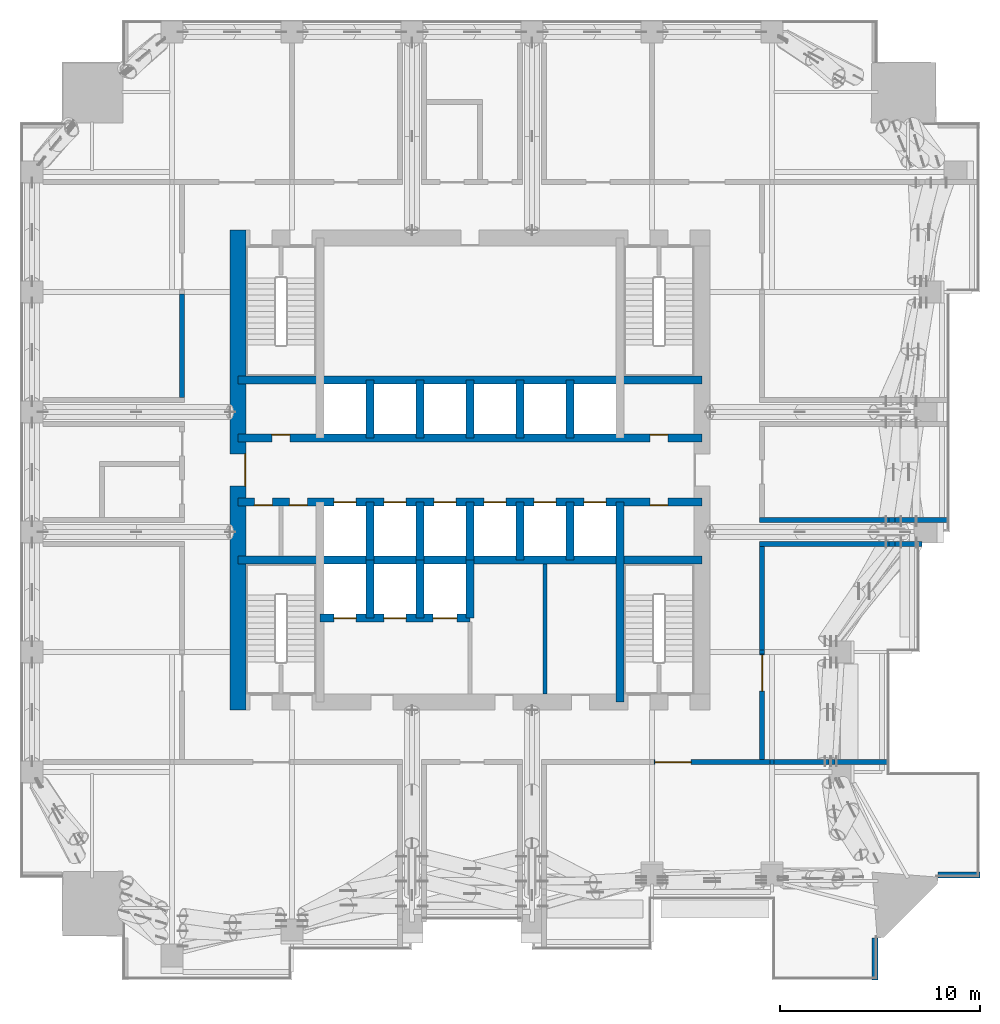
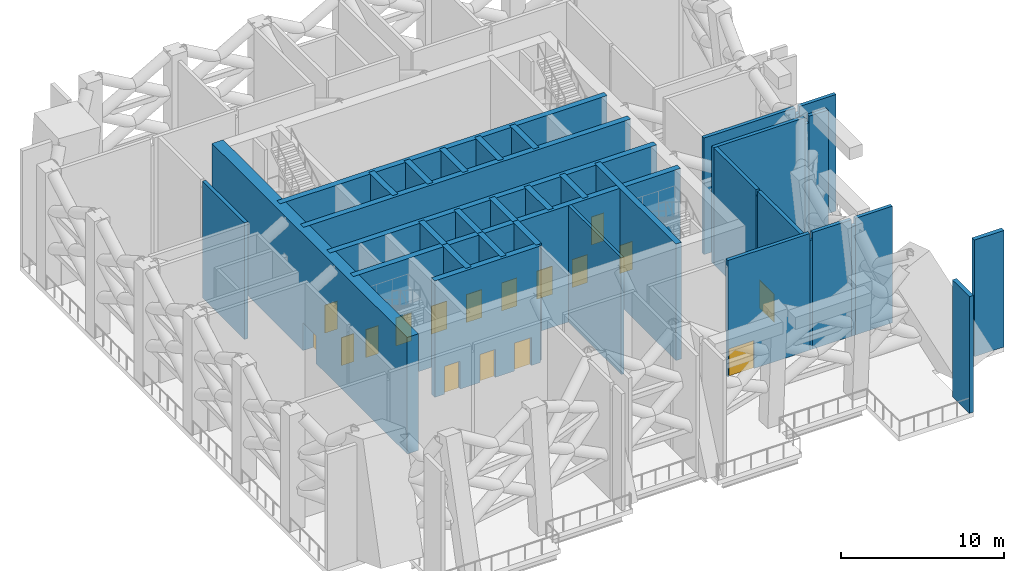
# One storey, part 8 of 19: 38 walls, 17 doors, 17 openings.
"""IFC4 building model written with IfcOpenShell, lengths in metres."""

from ifc_helpers import new_model, si_unit, direction, frame, frame_2d, origin, place, context, subcontext, project, spatial, rectangle, extrude, material, layer, layer_set, type_object, element, fill, save


model = new_model("IFC4")

# Units and contexts
model_context = context("Model", 3, precision=1e-05, world=origin(), true_north=direction((0.0, 1.0)))
body_context = subcontext(model_context, "Body", "Model", "MODEL_VIEW")
ifc_project = project(units=[si_unit("LENGTHUNIT", "METRE"), si_unit("AREAUNIT", "SQUARE_METRE"), si_unit("VOLUMEUNIT", "CUBIC_METRE"), si_unit("PLANEANGLEUNIT", "RADIAN"), si_unit("MASSUNIT", "GRAM", prefix="KILO")], contexts=[model_context])

# Site, building, storey
site_placement = place(None, origin())
site = spatial("IfcSite", under=ifc_project, at=site_placement, CompositionType="ELEMENT")
building_placement = place(site_placement, origin())
building = spatial("IfcBuilding", under=site, at=building_placement, Name="Amberfall Residences", CompositionType="ELEMENT")
storey_placement = place(building_placement, frame((0.0, 0.0, 124.89990234375)))
storey = spatial("IfcBuildingStorey", under=building, at=storey_placement, Name="L34", CompositionType="ELEMENT", Elevation=124.89990234375)

# Wall, opening, door
ifc_material_1 = material(Name="Reinforced concrete C40", Category="concrete")
ifc_layer_1 = layer(ifc_material_1, 0.25)
ifc_layer_set_1 = layer_set([ifc_layer_1], Name="Compartment wall 250")
wall_type_1 = type_object("IfcWallType", Name="Compartment wall 250", PredefinedType="SOLIDWALL", material=ifc_layer_set_1)
wall_1_placement = place(storey_placement, frame((83.69580078125, 30.89990234375, 0.0), z_axis=(0.0, 0.0, 1.0), x_axis=(1.0, 0.0, 0.0)))
wall_1 = element("IfcWall", 1, at=wall_1_placement, inside=storey, type_object=wall_type_1, Name="Compartment wall 250 L34 009", PredefinedType="SOLIDWALL", context=body_context, shape_type="SweptSolid", body=[
    extrude(rectangle(XDim=5.799560546875, YDim=0.25, at=frame_2d((2.89990234375, 0.0))), origin(), (0.0, 0.0, 1.0), 8.75),
])
opening_1_placement = place(wall_1_placement, frame((0.054443359375, 0.0, 0.0)))
opening_1 = element("IfcOpeningElement", 2, at=opening_1_placement, cuts=wall_1, Name="Opening D13", PredefinedType="OPENING", context=body_context, shape_type="SweptSolid", body=[
    extrude(rectangle(XDim=1.800048828125, YDim=2.10009765625, at=frame_2d((0.89990234375, 1.050048828125))), frame((0.0, 0.135009765625, 0.0), z_axis=(0.0, -1.0, 0.0), x_axis=(1.0, 0.0, 0.0)), (0.0, 0.0, 1.0), 0.27001953125),
])
ifc_material_2 = material(Name="Steel fire door leaf", Category="steel")
door_type_1 = type_object("IfcDoorType", Name="Double fire door 1800x2100 FD60", OperationType="DOUBLE_DOOR_SINGLE_SWING", PredefinedType="DOOR", material=ifc_material_2)
door_1_placement = place(opening_1_placement, origin())
door_1 = element("IfcDoor", 3, at=door_1_placement, inside=storey, type_object=door_type_1, Name="Door Refuge area 3", OperationType="DOUBLE_DOOR_SINGLE_SWING", OverallHeight=2.10009765625, OverallWidth=1.800048828125, PredefinedType="DOOR", context=body_context, shape_type="SweptSolid", body=[
    extrude(rectangle(XDim=1.800048828125, YDim=2.10009765625, at=frame_2d((0.89990234375, 1.050048828125))), frame((0.0, 0.02490234375, 0.0), z_axis=(0.0, -1.0, 0.0), x_axis=(1.0, 0.0, 0.0)), (0.0, 0.0, 1.0), 0.050048828125),
])
fill(opening_1, door_1)

# Walls
wall_2_placement = place(storey_placement, frame((89.495361328125, 30.89990234375, 0.0), z_axis=(0.0, 0.0, 1.0), x_axis=(1.0, 0.0, 0.0)))
element("IfcWall", 4, at=wall_2_placement, inside=storey, type_object=wall_type_1, Name="Compartment wall 250 L34 010", PredefinedType="SOLIDWALL", context=body_context, shape_type="SweptSolid", body=[
    extrude(rectangle(XDim=0.209228515625, YDim=0.25, at=frame_2d((0.1044921875, 0.0))), origin(), (0.0, 0.0, 1.0), 8.217041015625),
])
wall_3_placement = place(storey_placement, frame((89.70458984375, 30.89990234375, 0.0), z_axis=(0.0, 0.0, 1.0), x_axis=(1.0, 0.0, 0.0)))
element("IfcWall", 5, at=wall_3_placement, inside=storey, type_object=wall_type_1, Name="Compartment wall 250 L34 011", PredefinedType="SOLIDWALL", context=body_context, shape_type="SweptSolid", body=[
    extrude(rectangle(XDim=2.745361328125, YDim=0.25, at=frame_2d((1.37255859375, 0.0))), origin(), (0.0, 0.0, 1.0), 8.75),
])
wall_4_placement = place(storey_placement, frame((92.449951171875, 30.89990234375, 0.0), z_axis=(0.0, 0.0, 1.0), x_axis=(1.0, 0.0, 0.0)))
element("IfcWall", 6, at=wall_4_placement, inside=storey, type_object=wall_type_1, Name="Compartment wall 250 L34 012", PredefinedType="SOLIDWALL", context=body_context, shape_type="SweptSolid", body=[
    extrude(rectangle(XDim=0.300048828125, YDim=0.25, at=frame_2d((0.14990234375, 0.0))), origin(), (0.0, 0.0, 1.0), 8.25),
])
wall_5_placement = place(storey_placement, frame((92.75, 30.89990234375, 0.0), z_axis=(0.0, 0.0, 1.0), x_axis=(1.0, 0.0, 0.0)))
element("IfcWall", 7, at=wall_5_placement, inside=storey, type_object=wall_type_1, Name="Compartment wall 250 L34 013", PredefinedType="SOLIDWALL", context=body_context, shape_type="SweptSolid", body=[
    extrude(rectangle(XDim=2.60009765625, YDim=0.25, at=frame_2d((1.300048828125, 0.0))), origin(), (0.0, 0.0, 1.0), 8.75),
])
wall_6_placement = place(storey_placement, frame((88.97509765625, 41.800048828125, 0.0), z_axis=(0.0, 0.0, 1.0), x_axis=(1.0, 0.0, 0.0)))
element("IfcWall", 8, at=wall_6_placement, inside=storey, type_object=wall_type_1, Name="Compartment wall 250 L34 015", PredefinedType="SOLIDWALL", context=body_context, shape_type="SweptSolid", body=[
    extrude(rectangle(XDim=6.474853515625, YDim=0.25, at=frame_2d((3.2373046875, 0.0))), origin(), (0.0, 0.0, 1.0), 8.75),
])
wall_7_placement = place(storey_placement, frame((95.449951171875, 41.800048828125, 0.0), z_axis=(0.0, 0.0, 1.0), x_axis=(1.0, 0.0, 0.0)))
element("IfcWall", 9, at=wall_7_placement, inside=storey, type_object=wall_type_1, Name="Compartment wall 250 L34 016", PredefinedType="SOLIDWALL", context=body_context, shape_type="SweptSolid", body=[
    extrude(rectangle(XDim=0.300048828125, YDim=0.25, at=frame_2d((0.14990234375, 0.0))), origin(), (0.0, 0.0, 1.0), 8.25),
])
wall_8_placement = place(storey_placement, frame((95.75, 41.800048828125, 0.0), z_axis=(0.0, 0.0, 1.0), x_axis=(1.0, 0.0, 0.0)))
element("IfcWall", 10, at=wall_8_placement, inside=storey, type_object=wall_type_1, Name="Compartment wall 250 L34 017", PredefinedType="SOLIDWALL", context=body_context, shape_type="SweptSolid", body=[
    extrude(rectangle(XDim=1.35009765625, YDim=0.25, at=frame_2d((0.675048828125, 0.0))), origin(), (0.0, 0.0, 1.0), 8.75),
])
wall_9_placement = place(storey_placement, frame((88.97509765625, 43.0, 0.0), z_axis=(0.0, 0.0, 1.0), x_axis=(1.0, 0.0, 0.0)))
element("IfcWall", 11, at=wall_9_placement, inside=storey, type_object=wall_type_1, Name="Compartment wall 250 L34 019", PredefinedType="SOLIDWALL", context=body_context, shape_type="SweptSolid", body=[
    extrude(rectangle(XDim=6.474853515625, YDim=0.25, at=frame_2d((3.2373046875, 0.0))), origin(), (0.0, 0.0, 1.0), 8.75),
])
wall_10_placement = place(storey_placement, frame((95.449951171875, 43.0, 0.0), z_axis=(0.0, 0.0, 1.0), x_axis=(1.0, 0.0, 0.0)))
element("IfcWall", 12, at=wall_10_placement, inside=storey, type_object=wall_type_1, Name="Compartment wall 250 L34 020", PredefinedType="SOLIDWALL", context=body_context, shape_type="SweptSolid", body=[
    extrude(rectangle(XDim=0.300048828125, YDim=0.25, at=frame_2d((0.14990234375, 0.0))), origin(), (0.0, 0.0, 1.0), 8.25),
])
wall_11_placement = place(storey_placement, frame((95.75, 43.0, 0.0), z_axis=(0.0, 0.0, 1.0), x_axis=(1.0, 0.0, 0.0)))
element("IfcWall", 13, at=wall_11_placement, inside=storey, type_object=wall_type_1, Name="Compartment wall 250 L34 021", PredefinedType="SOLIDWALL", context=body_context, shape_type="SweptSolid", body=[
    extrude(rectangle(XDim=2.60009765625, YDim=0.25, at=frame_2d((1.300048828125, 0.0))), origin(), (0.0, 0.0, 1.0), 8.75),
])
wall_12_placement = place(storey_placement, frame((60.10009765625, 49.125, 0.0), z_axis=(0.0, 0.0, 1.0), x_axis=(0.0, 1.0, 0.0)))
element("IfcWall", 14, at=wall_12_placement, inside=storey, type_object=wall_type_1, Name="Compartment wall 250 L34 050", PredefinedType="SOLIDWALL", context=body_context, shape_type="SweptSolid", body=[
    extrude(rectangle(XDim=5.17041015625, YDim=0.25, at=frame_2d((2.585205078125, 0.0))), origin(), (0.0, 0.0, 1.0), 8.75),
])

# Wall, opening, door
wall_13_placement = place(storey_placement, frame((89.10009765625, 31.02490234375, 0.0), z_axis=(0.0, 0.0, 1.0), x_axis=(0.0, 1.0, 0.0)))
wall_13 = element("IfcWall", 15, at=wall_13_placement, inside=storey, type_object=wall_type_1, Name="Compartment wall 250 L34 072", PredefinedType="SOLIDWALL", context=body_context, shape_type="SweptSolid", body=[
    extrude(rectangle(XDim=5.2861328125, YDim=0.25, at=frame_2d((2.64306640625, 0.0))), origin(), (0.0, 0.0, 1.0), 8.75),
])
opening_2_placement = place(wall_13_placement, frame((3.425048828125, 0.0, 0.0)))
opening_2 = element("IfcOpeningElement", 16, at=opening_2_placement, cuts=wall_13, Name="Opening D13", PredefinedType="OPENING", context=body_context, shape_type="SweptSolid", body=[
    extrude(rectangle(XDim=1.800048828125, YDim=2.10009765625, at=frame_2d((0.89990234375, 1.050048828125))), frame((0.0, 0.135009765625, 0.0), z_axis=(0.0, -1.0, 0.0), x_axis=(1.0, 0.0, 0.0)), (0.0, 0.0, 1.0), 0.27001953125),
])
door_2_placement = place(opening_2_placement, origin())
door_2 = element("IfcDoor", 17, at=door_2_placement, inside=storey, type_object=door_type_1, Name="Door Refuge area 12", OperationType="DOUBLE_DOOR_SINGLE_SWING", OverallHeight=2.10009765625, OverallWidth=1.800048828125, PredefinedType="DOOR", context=body_context, shape_type="SweptSolid", body=[
    extrude(rectangle(XDim=1.800048828125, YDim=2.10009765625, at=frame_2d((0.89990234375, 1.050048828125))), frame((0.0, 0.02490234375, 0.0), z_axis=(0.0, -1.0, 0.0), x_axis=(1.0, 0.0, 0.0)), (0.0, 0.0, 1.0), 0.050048828125),
])
fill(opening_2, door_2)

# Walls
wall_14_placement = place(storey_placement, frame((89.10009765625, 36.31103515625, 0.0), z_axis=(0.0, 0.0, 1.0), x_axis=(0.0, 1.0, 0.0)))
element("IfcWall", 18, at=wall_14_placement, inside=storey, type_object=wall_type_1, Name="Compartment wall 250 L34 073", PredefinedType="SOLIDWALL", context=body_context, shape_type="SweptSolid", body=[
    extrude(rectangle(XDim=0.177734375, YDim=0.25, at=frame_2d((0.0888671875, 0.0))), origin(), (0.0, 0.0, 1.0), 8.34716796875),
])
wall_15_placement = place(storey_placement, frame((89.10009765625, 36.48876953125, 0.0), z_axis=(0.0, 0.0, 1.0), x_axis=(0.0, 1.0, 0.0)))
element("IfcWall", 19, at=wall_15_placement, inside=storey, type_object=wall_type_1, Name="Compartment wall 250 L34 074", PredefinedType="SOLIDWALL", context=body_context, shape_type="SweptSolid", body=[
    extrude(rectangle(XDim=5.186279296875, YDim=0.25, at=frame_2d((2.59326171875, 0.0))), origin(), (0.0, 0.0, 1.0), 8.75),
])
ifc_material_3 = material(Name="Concrete C70", Category="concrete")
ifc_layer_2 = layer(ifc_material_3, 0.39990234375)
ifc_layer_set_2 = layer_set([ifc_layer_2], Name="Core wall 400 C70")
wall_type_2 = type_object("IfcWallType", Name="Core wall 400 C70", PredefinedType="SHEAR", material=ifc_layer_set_2)
wall_16_placement = place(storey_placement, frame((62.89990234375, 41.0, 0.0), z_axis=(0.0, 0.0, 1.0), x_axis=(1.0, 0.0, 0.0)))
element("IfcWall", 20, at=wall_16_placement, inside=storey, type_object=wall_type_2, Name="Core wall RW4 L34 H75", PredefinedType="SHEAR", context=body_context, shape_type="SweptSolid", body=[
    extrude(rectangle(XDim=23.2001953125, YDim=0.39990234375, at=frame_2d((11.60009765625, 0.0))), origin(), (0.0, 0.0, 1.0), 8.75),
])

# Wall, openings, doors
wall_17_placement = place(storey_placement, frame((62.89990234375, 43.89990234375, 0.0), z_axis=(0.0, 0.0, 1.0), x_axis=(1.0, 0.0, 0.0)))
wall_17 = element("IfcWall", 21, at=wall_17_placement, inside=storey, type_object=wall_type_2, Name="Core wall RW4 L34 H104", PredefinedType="SHEAR", context=body_context, shape_type="SweptSolid", body=[
    extrude(rectangle(XDim=23.2001953125, YDim=0.39990234375, at=frame_2d((11.60009765625, 0.0))), origin(), (0.0, 0.0, 1.0), 8.75),
])
opening_3_placement = place(wall_17_placement, frame((0.824951171875, 0.0, 0.0)))
opening_3 = element("IfcOpeningElement", 22, at=opening_3_placement, cuts=wall_17, Name="Opening RD1", PredefinedType="OPENING", context=body_context, shape_type="SweptSolid", body=[
    extrude(rectangle(XDim=0.89990234375, YDim=2.10009765625, at=frame_2d((0.449951171875, 1.050048828125))), frame((0.0, 0.2099609375, 0.0), z_axis=(0.0, -1.0, 0.0), x_axis=(1.0, 0.0, 0.0)), (0.0, 0.0, 1.0), 0.419921875),
])
opening_4_placement = place(wall_17_placement, frame((2.574951171875, 0.0, 0.0)))
opening_4 = element("IfcOpeningElement", 23, at=opening_4_placement, cuts=wall_17, Name="Opening RD1", PredefinedType="OPENING", context=body_context, shape_type="SweptSolid", body=[
    extrude(rectangle(XDim=0.89990234375, YDim=2.10009765625, at=frame_2d((0.449951171875, 1.050048828125))), frame((0.0, 0.2099609375, 0.0), z_axis=(0.0, -1.0, 0.0), x_axis=(1.0, 0.0, 0.0)), (0.0, 0.0, 1.0), 0.419921875),
])
opening_5_placement = place(wall_17_placement, frame((20.60009765625, 0.0, 0.0)))
opening_5 = element("IfcOpeningElement", 24, at=opening_5_placement, cuts=wall_17, Name="Opening RD1", PredefinedType="OPENING", context=body_context, shape_type="SweptSolid", body=[
    extrude(rectangle(XDim=0.89990234375, YDim=2.10009765625, at=frame_2d((0.449951171875, 1.050048828125))), frame((0.0, 0.2099609375, 0.0), z_axis=(0.0, -1.0, 0.0), x_axis=(1.0, 0.0, 0.0)), (0.0, 0.0, 1.0), 0.419921875),
])
opening_6_placement = place(wall_17_placement, frame((4.800048828125, 0.0, 0.0)))
opening_6 = element("IfcOpeningElement", 25, at=opening_6_placement, cuts=wall_17, Name="Opening LD1", PredefinedType="OPENING", context=body_context, shape_type="SweptSolid", body=[
    extrude(rectangle(XDim=1.10009765625, YDim=2.10009765625, at=frame_2d((0.550048828125, 1.050048828125))), frame((0.0, 0.2099609375, 0.0), z_axis=(0.0, -1.0, 0.0), x_axis=(1.0, 0.0, 0.0)), (0.0, 0.0, 1.0), 0.419921875),
])
opening_7_placement = place(wall_17_placement, frame((7.300048828125, 0.0, 0.0)))
opening_7 = element("IfcOpeningElement", 26, at=opening_7_placement, cuts=wall_17, Name="Opening LD1", PredefinedType="OPENING", context=body_context, shape_type="SweptSolid", body=[
    extrude(rectangle(XDim=1.10009765625, YDim=2.10009765625, at=frame_2d((0.550048828125, 1.050048828125))), frame((0.0, 0.2099609375, 0.0), z_axis=(0.0, -1.0, 0.0), x_axis=(1.0, 0.0, 0.0)), (0.0, 0.0, 1.0), 0.419921875),
])
opening_8_placement = place(wall_17_placement, frame((9.800048828125, 0.0, 0.0)))
opening_8 = element("IfcOpeningElement", 27, at=opening_8_placement, cuts=wall_17, Name="Opening LD1", PredefinedType="OPENING", context=body_context, shape_type="SweptSolid", body=[
    extrude(rectangle(XDim=1.10009765625, YDim=2.10009765625, at=frame_2d((0.550048828125, 1.050048828125))), frame((0.0, 0.2099609375, 0.0), z_axis=(0.0, -1.0, 0.0), x_axis=(1.0, 0.0, 0.0)), (0.0, 0.0, 1.0), 0.419921875),
])
opening_9_placement = place(wall_17_placement, frame((12.300048828125, 0.0, 0.0)))
opening_9 = element("IfcOpeningElement", 28, at=opening_9_placement, cuts=wall_17, Name="Opening LD1", PredefinedType="OPENING", context=body_context, shape_type="SweptSolid", body=[
    extrude(rectangle(XDim=1.10009765625, YDim=2.10009765625, at=frame_2d((0.550048828125, 1.050048828125))), frame((0.0, 0.2099609375, 0.0), z_axis=(0.0, -1.0, 0.0), x_axis=(1.0, 0.0, 0.0)), (0.0, 0.0, 1.0), 0.419921875),
])
opening_10_placement = place(wall_17_placement, frame((14.800048828125, 0.0, 0.0)))
opening_10 = element("IfcOpeningElement", 29, at=opening_10_placement, cuts=wall_17, Name="Opening LD1", PredefinedType="OPENING", context=body_context, shape_type="SweptSolid", body=[
    extrude(rectangle(XDim=1.10009765625, YDim=2.10009765625, at=frame_2d((0.550048828125, 1.050048828125))), frame((0.0, 0.2099609375, 0.0), z_axis=(0.0, -1.0, 0.0), x_axis=(1.0, 0.0, 0.0)), (0.0, 0.0, 1.0), 0.419921875),
])
opening_11_placement = place(wall_17_placement, frame((17.300048828125, 0.0, 0.0)))
opening_11 = element("IfcOpeningElement", 30, at=opening_11_placement, cuts=wall_17, Name="Opening LD1", PredefinedType="OPENING", context=body_context, shape_type="SweptSolid", body=[
    extrude(rectangle(XDim=1.10009765625, YDim=2.10009765625, at=frame_2d((0.550048828125, 1.050048828125))), frame((0.0, 0.2099609375, 0.0), z_axis=(0.0, -1.0, 0.0), x_axis=(1.0, 0.0, 0.0)), (0.0, 0.0, 1.0), 0.419921875),
])
ifc_material_4 = material(Name="Steel fire door set", Category="steel")
door_type_2 = type_object("IfcDoorType", Name="Lift landing door 1100 x 2100", OperationType="DOUBLE_DOOR_SLIDING", PredefinedType="DOOR", material=ifc_material_4)
door_3_placement = place(opening_6_placement, origin())
door_3 = element("IfcDoor", 31, at=door_3_placement, inside=storey, type_object=door_type_2, Name="Landing door LP1 L34", OperationType="DOUBLE_DOOR_SLIDING", OverallHeight=2.10009765625, OverallWidth=1.10009765625, PredefinedType="DOOR", context=body_context, shape_type="SweptSolid", body=[
    extrude(rectangle(XDim=1.10009765625, YDim=2.10009765625, at=frame_2d((0.550048828125, 1.050048828125))), frame((0.0, 0.02490234375, 0.0), z_axis=(0.0, -1.0, 0.0), x_axis=(1.0, 0.0, 0.0)), (0.0, 0.0, 1.0), 0.050048828125),
])
fill(opening_6, door_3)
door_4_placement = place(opening_7_placement, origin())
door_4 = element("IfcDoor", 32, at=door_4_placement, inside=storey, type_object=door_type_2, Name="Landing door LP2 L34", OperationType="DOUBLE_DOOR_SLIDING", OverallHeight=2.10009765625, OverallWidth=1.10009765625, PredefinedType="DOOR", context=body_context, shape_type="SweptSolid", body=[
    extrude(rectangle(XDim=1.10009765625, YDim=2.10009765625, at=frame_2d((0.550048828125, 1.050048828125))), frame((0.0, 0.02490234375, 0.0), z_axis=(0.0, -1.0, 0.0), x_axis=(1.0, 0.0, 0.0)), (0.0, 0.0, 1.0), 0.050048828125),
])
fill(opening_7, door_4)
door_5_placement = place(opening_8_placement, origin())
door_5 = element("IfcDoor", 33, at=door_5_placement, inside=storey, type_object=door_type_2, Name="Landing door LP3 L34", OperationType="DOUBLE_DOOR_SLIDING", OverallHeight=2.10009765625, OverallWidth=1.10009765625, PredefinedType="DOOR", context=body_context, shape_type="SweptSolid", body=[
    extrude(rectangle(XDim=1.10009765625, YDim=2.10009765625, at=frame_2d((0.550048828125, 1.050048828125))), frame((0.0, 0.02490234375, 0.0), z_axis=(0.0, -1.0, 0.0), x_axis=(1.0, 0.0, 0.0)), (0.0, 0.0, 1.0), 0.050048828125),
])
fill(opening_8, door_5)
door_6_placement = place(opening_9_placement, origin())
door_6 = element("IfcDoor", 34, at=door_6_placement, inside=storey, type_object=door_type_2, Name="Landing door LP4 L34", OperationType="DOUBLE_DOOR_SLIDING", OverallHeight=2.10009765625, OverallWidth=1.10009765625, PredefinedType="DOOR", context=body_context, shape_type="SweptSolid", body=[
    extrude(rectangle(XDim=1.10009765625, YDim=2.10009765625, at=frame_2d((0.550048828125, 1.050048828125))), frame((0.0, 0.02490234375, 0.0), z_axis=(0.0, -1.0, 0.0), x_axis=(1.0, 0.0, 0.0)), (0.0, 0.0, 1.0), 0.050048828125),
])
fill(opening_9, door_6)
door_7_placement = place(opening_10_placement, origin())
door_7 = element("IfcDoor", 35, at=door_7_placement, inside=storey, type_object=door_type_2, Name="Landing door LP5 L34", OperationType="DOUBLE_DOOR_SLIDING", OverallHeight=2.10009765625, OverallWidth=1.10009765625, PredefinedType="DOOR", context=body_context, shape_type="SweptSolid", body=[
    extrude(rectangle(XDim=1.10009765625, YDim=2.10009765625, at=frame_2d((0.550048828125, 1.050048828125))), frame((0.0, 0.02490234375, 0.0), z_axis=(0.0, -1.0, 0.0), x_axis=(1.0, 0.0, 0.0)), (0.0, 0.0, 1.0), 0.050048828125),
])
fill(opening_10, door_7)
door_8_placement = place(opening_11_placement, origin())
door_8 = element("IfcDoor", 36, at=door_8_placement, inside=storey, type_object=door_type_2, Name="Landing door LP6 L34", OperationType="DOUBLE_DOOR_SLIDING", OverallHeight=2.10009765625, OverallWidth=1.10009765625, PredefinedType="DOOR", context=body_context, shape_type="SweptSolid", body=[
    extrude(rectangle(XDim=1.10009765625, YDim=2.10009765625, at=frame_2d((0.550048828125, 1.050048828125))), frame((0.0, 0.02490234375, 0.0), z_axis=(0.0, -1.0, 0.0), x_axis=(1.0, 0.0, 0.0)), (0.0, 0.0, 1.0), 0.050048828125),
])
fill(opening_11, door_8)
door_type_3 = type_object("IfcDoorType", Name="Service room door 900 x 2100", OperationType="SINGLE_SWING_LEFT", PredefinedType="DOOR", material=ifc_material_4)
door_9_placement = place(opening_3_placement, origin())
door_9 = element("IfcDoor", 37, at=door_9_placement, inside=storey, type_object=door_type_3, Name="RD1 L34", OperationType="SINGLE_SWING_LEFT", OverallHeight=2.10009765625, OverallWidth=0.89990234375, PredefinedType="DOOR", context=body_context, shape_type="SweptSolid", body=[
    extrude(rectangle(XDim=0.89990234375, YDim=2.10009765625, at=frame_2d((0.449951171875, 1.050048828125))), frame((0.0, -0.1376953125, 0.0), z_axis=(0.0, -1.0, 0.0), x_axis=(1.0, 0.0, 0.0)), (0.0, 0.0, 1.0), 0.050048828125),
])
fill(opening_3, door_9)
door_10_placement = place(opening_4_placement, origin())
door_10 = element("IfcDoor", 38, at=door_10_placement, inside=storey, type_object=door_type_3, Name="RD1 L34", OperationType="SINGLE_SWING_RIGHT", OverallHeight=2.10009765625, OverallWidth=0.89990234375, PredefinedType="DOOR", context=body_context, shape_type="SweptSolid", body=[
    extrude(rectangle(XDim=0.89990234375, YDim=2.10009765625, at=frame_2d((0.449951171875, 1.050048828125))), frame((0.0, -0.1376953125, 0.0), z_axis=(0.0, -1.0, 0.0), x_axis=(1.0, 0.0, 0.0)), (0.0, 0.0, 1.0), 0.050048828125),
])
fill(opening_4, door_10)
door_11_placement = place(opening_5_placement, origin())
door_11 = element("IfcDoor", 39, at=door_11_placement, inside=storey, type_object=door_type_3, Name="RD1 L34", OperationType="SINGLE_SWING_LEFT", OverallHeight=2.10009765625, OverallWidth=0.89990234375, PredefinedType="DOOR", context=body_context, shape_type="SweptSolid", body=[
    extrude(rectangle(XDim=0.89990234375, YDim=2.10009765625, at=frame_2d((0.449951171875, 1.050048828125))), frame((0.0, -0.1376953125, 0.0), z_axis=(0.0, -1.0, 0.0), x_axis=(1.0, 0.0, 0.0)), (0.0, 0.0, 1.0), 0.050048828125),
])
fill(opening_5, door_11)

wall_18_placement = place(storey_placement, frame((62.89990234375, 47.10009765625, 0.0), z_axis=(0.0, 0.0, 1.0), x_axis=(1.0, 0.0, 0.0)))
wall_18 = element("IfcWall", 40, at=wall_18_placement, inside=storey, type_object=wall_type_2, Name="Core wall RW4 L34 H136", PredefinedType="SHEAR", context=body_context, shape_type="SweptSolid", body=[
    extrude(rectangle(XDim=23.2001953125, YDim=0.39990234375, at=frame_2d((11.60009765625, 0.0))), origin(), (0.0, 0.0, 1.0), 8.75),
])
opening_12_placement = place(wall_18_placement, frame((1.699951171875, 0.0, 0.0)))
opening_12 = element("IfcOpeningElement", 41, at=opening_12_placement, cuts=wall_18, Name="Opening RD1", PredefinedType="OPENING", context=body_context, shape_type="SweptSolid", body=[
    extrude(rectangle(XDim=0.89990234375, YDim=2.10009765625, at=frame_2d((0.449951171875, 1.050048828125))), frame((0.0, 0.2099609375, 0.0), z_axis=(0.0, -1.0, 0.0), x_axis=(1.0, 0.0, 0.0)), (0.0, 0.0, 1.0), 0.419921875),
])
opening_13_placement = place(wall_18_placement, frame((20.60009765625, 0.0, 0.0)))
opening_13 = element("IfcOpeningElement", 42, at=opening_13_placement, cuts=wall_18, Name="Opening RD1", PredefinedType="OPENING", context=body_context, shape_type="SweptSolid", body=[
    extrude(rectangle(XDim=0.89990234375, YDim=2.10009765625, at=frame_2d((0.449951171875, 1.050048828125))), frame((0.0, 0.2099609375, 0.0), z_axis=(0.0, -1.0, 0.0), x_axis=(1.0, 0.0, 0.0)), (0.0, 0.0, 1.0), 0.419921875),
])
door_12_placement = place(opening_12_placement, origin())
door_12 = element("IfcDoor", 43, at=door_12_placement, inside=storey, type_object=door_type_3, Name="RD1 L34", OperationType="SINGLE_SWING_LEFT", OverallHeight=2.10009765625, OverallWidth=0.89990234375, PredefinedType="DOOR", context=body_context, shape_type="SweptSolid", body=[
    extrude(rectangle(XDim=0.89990234375, YDim=2.10009765625, at=frame_2d((0.449951171875, 1.050048828125))), frame((0.0, 0.1875, 0.0), z_axis=(0.0, -1.0, 0.0), x_axis=(1.0, 0.0, 0.0)), (0.0, 0.0, 1.0), 0.050048828125),
])
fill(opening_12, door_12)
door_13_placement = place(opening_13_placement, origin())
door_13 = element("IfcDoor", 44, at=door_13_placement, inside=storey, type_object=door_type_3, Name="RD1 L34", OperationType="SINGLE_SWING_LEFT", OverallHeight=2.10009765625, OverallWidth=0.89990234375, PredefinedType="DOOR", context=body_context, shape_type="SweptSolid", body=[
    extrude(rectangle(XDim=0.89990234375, YDim=2.10009765625, at=frame_2d((0.449951171875, 1.050048828125))), frame((0.0, 0.1875, 0.0), z_axis=(0.0, -1.0, 0.0), x_axis=(1.0, 0.0, 0.0)), (0.0, 0.0, 1.0), 0.050048828125),
])
fill(opening_13, door_13)

# Walls
wall_19_placement = place(storey_placement, frame((62.89990234375, 50.0, 0.0), z_axis=(0.0, 0.0, 1.0), x_axis=(1.0, 0.0, 0.0)))
element("IfcWall", 45, at=wall_19_placement, inside=storey, type_object=wall_type_2, Name="Core wall RW4 L34 H165", PredefinedType="SHEAR", context=body_context, shape_type="SweptSolid", body=[
    extrude(rectangle(XDim=23.2001953125, YDim=0.39990234375, at=frame_2d((11.60009765625, 0.0))), origin(), (0.0, 0.0, 1.0), 8.75),
])
wall_20_placement = place(storey_placement, frame((82.0, 33.89990234375, 0.0), z_axis=(0.0, 0.0, 1.0), x_axis=(0.0, 1.0, 0.0)))
element("IfcWall", 46, at=wall_20_placement, inside=storey, type_object=wall_type_2, Name="Core wall RW4 L34 V195S", PredefinedType="SHEAR", context=body_context, shape_type="SweptSolid", body=[
    extrude(rectangle(XDim=10.0, YDim=0.39990234375, at=frame_2d((5.0, 0.0))), origin(), (0.0, 0.0, 1.0), 8.75),
])
for number, where, z_axis, x_axis, name in (
    (47, (69.5, 41.0, 0.0), (0.0, 0.0, 1.0), (0.0, 1.0, 0.0), "Core wall RW4 L34 LPD1"),
    (48, (69.5, 47.10009765625, 0.0), (0.0, 0.0, 1.0), (0.0, 1.0, 0.0), "Core wall RW4 L34 HPD1"),
    (49, (72.0, 41.0, 0.0), (0.0, 0.0, 1.0), (0.0, 1.0, 0.0), "Core wall RW4 L34 LPD2"),
    (50, (72.0, 47.10009765625, 0.0), (0.0, 0.0, 1.0), (0.0, 1.0, 0.0), "Core wall RW4 L34 HPD2"),
    (51, (74.5, 41.0, 0.0), (0.0, 0.0, 1.0), (0.0, 1.0, 0.0), "Core wall RW4 L34 LPD3"),
    (52, (74.5, 47.10009765625, 0.0), (0.0, 0.0, 1.0), (0.0, 1.0, 0.0), "Core wall RW4 L34 HPD3"),
    (53, (77.0, 41.0, 0.0), (0.0, 0.0, 1.0), (0.0, 1.0, 0.0), "Core wall RW4 L34 LPD4"),
    (54, (77.0, 47.10009765625, 0.0), (0.0, 0.0, 1.0), (0.0, 1.0, 0.0), "Core wall RW4 L34 HPD4"),
    (55, (79.5, 41.0, 0.0), (0.0, 0.0, 1.0), (0.0, 1.0, 0.0), "Core wall RW4 L34 LPD5"),
    (56, (79.5, 47.10009765625, 0.0), (0.0, 0.0, 1.0), (0.0, 1.0, 0.0), "Core wall RW4 L34 HPD5"),
):
    element("IfcWall", number, at=place(storey_placement, frame(where, z_axis=z_axis, x_axis=x_axis)), inside=storey, type_object=wall_type_2, Name=name, PredefinedType="SHEAR", context=body_context, shape_type="SweptSolid", body=[
        extrude(rectangle(XDim=2.89990234375, YDim=0.39990234375, at=frame_2d((1.449951171875, 0.0))), origin(), (0.0, 0.0, 1.0), 8.75),
    ])

# Wall, openings, doors
wall_21_placement = place(storey_placement, frame((67.0, 38.10009765625, 0.0), z_axis=(0.0, 0.0, 1.0), x_axis=(1.0, 0.0, 0.0)))
wall_21 = element("IfcWall", 57, at=wall_21_placement, inside=storey, type_object=wall_type_2, Name="Core wall RW4 L34 FFF", PredefinedType="SHEAR", context=body_context, shape_type="SweptSolid", body=[
    extrude(rectangle(XDim=7.5, YDim=0.39990234375, at=frame_2d((3.75, 0.0))), origin(), (0.0, 0.0, 1.0), 8.75),
])
opening_14_placement = place(wall_21_placement, frame((0.699951171875, 0.0, 0.0)))
opening_14 = element("IfcOpeningElement", 58, at=opening_14_placement, cuts=wall_21, Name="Opening LD2", PredefinedType="OPENING", context=body_context, shape_type="SweptSolid", body=[
    extrude(rectangle(XDim=1.10009765625, YDim=2.10009765625, at=frame_2d((0.550048828125, 1.050048828125))), frame((0.0, 0.2099609375, 0.0), z_axis=(0.0, -1.0, 0.0), x_axis=(1.0, 0.0, 0.0)), (0.0, 0.0, 1.0), 0.419921875),
])
opening_15_placement = place(wall_21_placement, frame((3.199951171875, 0.0, 0.0)))
opening_15 = element("IfcOpeningElement", 59, at=opening_15_placement, cuts=wall_21, Name="Opening LD2", PredefinedType="OPENING", context=body_context, shape_type="SweptSolid", body=[
    extrude(rectangle(XDim=1.10009765625, YDim=2.10009765625, at=frame_2d((0.550048828125, 1.050048828125))), frame((0.0, 0.2099609375, 0.0), z_axis=(0.0, -1.0, 0.0), x_axis=(1.0, 0.0, 0.0)), (0.0, 0.0, 1.0), 0.419921875),
])
opening_16_placement = place(wall_21_placement, frame((5.64990234375, 0.0, 0.0)))
opening_16 = element("IfcOpeningElement", 60, at=opening_16_placement, cuts=wall_21, Name="Opening LD3", PredefinedType="OPENING", context=body_context, shape_type="SweptSolid", body=[
    extrude(rectangle(XDim=1.199951171875, YDim=2.10009765625, at=frame_2d((0.60009765625, 1.050048828125))), frame((0.0, 0.2099609375, 0.0), z_axis=(0.0, -1.0, 0.0), x_axis=(1.0, 0.0, 0.0)), (0.0, 0.0, 1.0), 0.419921875),
])
door_type_4 = type_object("IfcDoorType", Name="Firefighting lift landing door 1100 x 2100", OperationType="DOUBLE_DOOR_SLIDING", PredefinedType="DOOR", material=ifc_material_4)
door_14_placement = place(opening_14_placement, origin())
door_14 = element("IfcDoor", 61, at=door_14_placement, inside=storey, type_object=door_type_4, Name="Landing door FF1 L34", OperationType="DOUBLE_DOOR_SLIDING", OverallHeight=2.10009765625, OverallWidth=1.10009765625, PredefinedType="DOOR", context=body_context, shape_type="SweptSolid", body=[
    extrude(rectangle(XDim=1.10009765625, YDim=2.10009765625, at=frame_2d((0.550048828125, 1.050048828125))), frame((0.0, 0.02490234375, 0.0), z_axis=(0.0, -1.0, 0.0), x_axis=(1.0, 0.0, 0.0)), (0.0, 0.0, 1.0), 0.050048828125),
])
fill(opening_14, door_14)
door_15_placement = place(opening_15_placement, origin())
door_15 = element("IfcDoor", 62, at=door_15_placement, inside=storey, type_object=door_type_4, Name="Landing door FF2 L34", OperationType="DOUBLE_DOOR_SLIDING", OverallHeight=2.10009765625, OverallWidth=1.10009765625, PredefinedType="DOOR", context=body_context, shape_type="SweptSolid", body=[
    extrude(rectangle(XDim=1.10009765625, YDim=2.10009765625, at=frame_2d((0.550048828125, 1.050048828125))), frame((0.0, 0.02490234375, 0.0), z_axis=(0.0, -1.0, 0.0), x_axis=(1.0, 0.0, 0.0)), (0.0, 0.0, 1.0), 0.050048828125),
])
fill(opening_15, door_15)
door_type_5 = type_object("IfcDoorType", Name="Service lift landing door 1200 x 2100", OperationType="DOUBLE_DOOR_SLIDING", PredefinedType="DOOR", material=ifc_material_4)
door_16_placement = place(opening_16_placement, origin())
door_16 = element("IfcDoor", 63, at=door_16_placement, inside=storey, type_object=door_type_5, Name="Landing door SL1 L34", OperationType="DOUBLE_DOOR_SLIDING", OverallHeight=2.10009765625, OverallWidth=1.199951171875, PredefinedType="DOOR", context=body_context, shape_type="SweptSolid", body=[
    extrude(rectangle(XDim=1.199951171875, YDim=2.10009765625, at=frame_2d((0.60009765625, 1.050048828125))), frame((0.0, 0.02490234375, 0.0), z_axis=(0.0, -1.0, 0.0), x_axis=(1.0, 0.0, 0.0)), (0.0, 0.0, 1.0), 0.050048828125),
])
fill(opening_16, door_16)

# Walls
for number, where, z_axis, x_axis, name in (
    (64, (69.5, 38.10009765625, 0.0), (0.0, 0.0, 1.0), (0.0, 1.0, 0.0), "Core wall RW4 L34 FFD1"),
    (65, (72.0, 38.10009765625, 0.0), (0.0, 0.0, 1.0), (0.0, 1.0, 0.0), "Core wall RW4 L34 FFD2"),
    (66, (74.5, 38.10009765625, 0.0), (0.0, 0.0, 1.0), (0.0, 1.0, 0.0), "Core wall RW4 L34 FFD3"),
):
    element("IfcWall", number, at=place(storey_placement, frame(where, z_axis=z_axis, x_axis=x_axis)), inside=storey, type_object=wall_type_2, Name=name, PredefinedType="SHEAR", context=body_context, shape_type="SweptSolid", body=[
        extrude(rectangle(XDim=2.89990234375, YDim=0.39990234375, at=frame_2d((1.449951171875, 0.0))), origin(), (0.0, 0.0, 1.0), 8.75),
    ])

# Wall, opening, door
ifc_layer_3 = layer(ifc_material_3, 0.800048828125)
ifc_layer_set_3 = layer_set([ifc_layer_3], Name="Core wall 800 C70")
wall_type_3 = type_object("IfcWallType", Name="Core wall 800 C70", PredefinedType="SHEAR", material=ifc_layer_set_3)
wall_22_placement = place(storey_placement, frame((62.89990234375, 33.5, 0.0), z_axis=(0.0, 0.0, 1.0), x_axis=(0.0, 1.0, 0.0)))
wall_22 = element("IfcWall", 67, at=wall_22_placement, inside=storey, type_object=wall_type_3, Name="Core wall RW3 L34 OW", PredefinedType="SHEAR", context=body_context, shape_type="SweptSolid", body=[
    extrude(rectangle(XDim=24.0, YDim=0.800048828125, at=frame_2d((12.0, 0.0))), origin(), (0.0, 0.0, 1.0), 8.75),
])
opening_17_placement = place(wall_22_placement, frame((11.199951171875, 0.0, 0.0)))
opening_17 = element("IfcOpeningElement", 68, at=opening_17_placement, cuts=wall_22, Name="Opening LB1", PredefinedType="OPENING", context=body_context, shape_type="SweptSolid", body=[
    extrude(rectangle(XDim=1.60009765625, YDim=2.10009765625, at=frame_2d((0.800048828125, 1.050048828125))), frame((0.0, 0.409912109375, 0.0), z_axis=(0.0, -1.0, 0.0), x_axis=(1.0, 0.0, 0.0)), (0.0, 0.0, 1.0), 0.820068359375),
])
door_type_6 = type_object("IfcDoorType", Name="Lift lobby double door 1600 x 2100", OperationType="DOUBLE_DOOR_SINGLE_SWING", PredefinedType="DOOR", material=ifc_material_4)
door_17_placement = place(opening_17_placement, origin())
door_17 = element("IfcDoor", 69, at=door_17_placement, inside=storey, type_object=door_type_6, Name="LB1 L34", OperationType="DOUBLE_DOOR_SINGLE_SWING", OverallHeight=2.10009765625, OverallWidth=1.60009765625, PredefinedType="DOOR", context=body_context, shape_type="SweptSolid", body=[
    extrude(rectangle(XDim=1.60009765625, YDim=2.10009765625, at=frame_2d((0.800048828125, 1.050048828125))), frame((0.0, -0.33740234375, 0.0), z_axis=(0.0, -1.0, 0.0), x_axis=(1.0, 0.0, 0.0)), (0.0, 0.0, 1.0), 0.050048828125),
])
fill(opening_17, door_17)

# Walls
ifc_material_5 = material(Name="Bronze aluminium louvre cladding on insulated backing", Category="aluminium")
ifc_layer_4 = layer(ifc_material_5, 0.300048828125)
ifc_layer_set_4 = layer_set([ifc_layer_4], Name="Louvre clad wall 300")
wall_type_4 = type_object("IfcWallType", Name="Louvre clad wall 300", PredefinedType="SOLIDWALL", material=ifc_layer_set_4)
for number, where, z_axis, x_axis, name in (
    (70, (94.75, 20.0, 0.0), (0.0, 0.0, 1.0), (0.0, 1.0, 0.0), "External wall L34 SE"),
    (71, (97.89990234375, 25.25, 0.0), (0.0, 0.0, 1.0), (1.0, 0.0, 0.0), "External wall L34 SE"),
):
    element("IfcWall", number, at=place(storey_placement, frame(where, z_axis=z_axis, x_axis=x_axis)), inside=storey, type_object=wall_type_4, Name=name, PredefinedType="SOLIDWALL", context=body_context, shape_type="SweptSolid", body=[
        extrude(rectangle(XDim=2.10009765625, YDim=0.300048828125, at=frame_2d((1.050048828125, 0.0))), origin(), (0.0, 0.0, 1.0), 8.75),
    ])
ifc_material_6 = material(Name="Concrete blockwork", Category="masonry")
ifc_layer_5 = layer(ifc_material_6, 0.199951171875)
ifc_layer_set_5 = layer_set([ifc_layer_5], Name="Riser wall 200")
wall_type_5 = type_object("IfcWallType", Name="Riser wall 200", PredefinedType="PLUMBINGWALL", material=ifc_layer_set_5)
wall_23_placement = place(storey_placement, frame((78.25, 34.300048828125, 0.0), z_axis=(0.0, 0.0, 1.0), x_axis=(0.0, 1.0, 0.0)))
element("IfcWall", 72, at=wall_23_placement, inside=storey, type_object=wall_type_5, Name="L34 core wall E0", PredefinedType="PLUMBINGWALL", context=body_context, shape_type="SweptSolid", body=[
    extrude(rectangle(XDim=6.5, YDim=0.199951171875, at=frame_2d((3.25, 0.0))), origin(), (0.0, 0.0, 1.0), 8.75),
])

save(model, "model.ifc")
